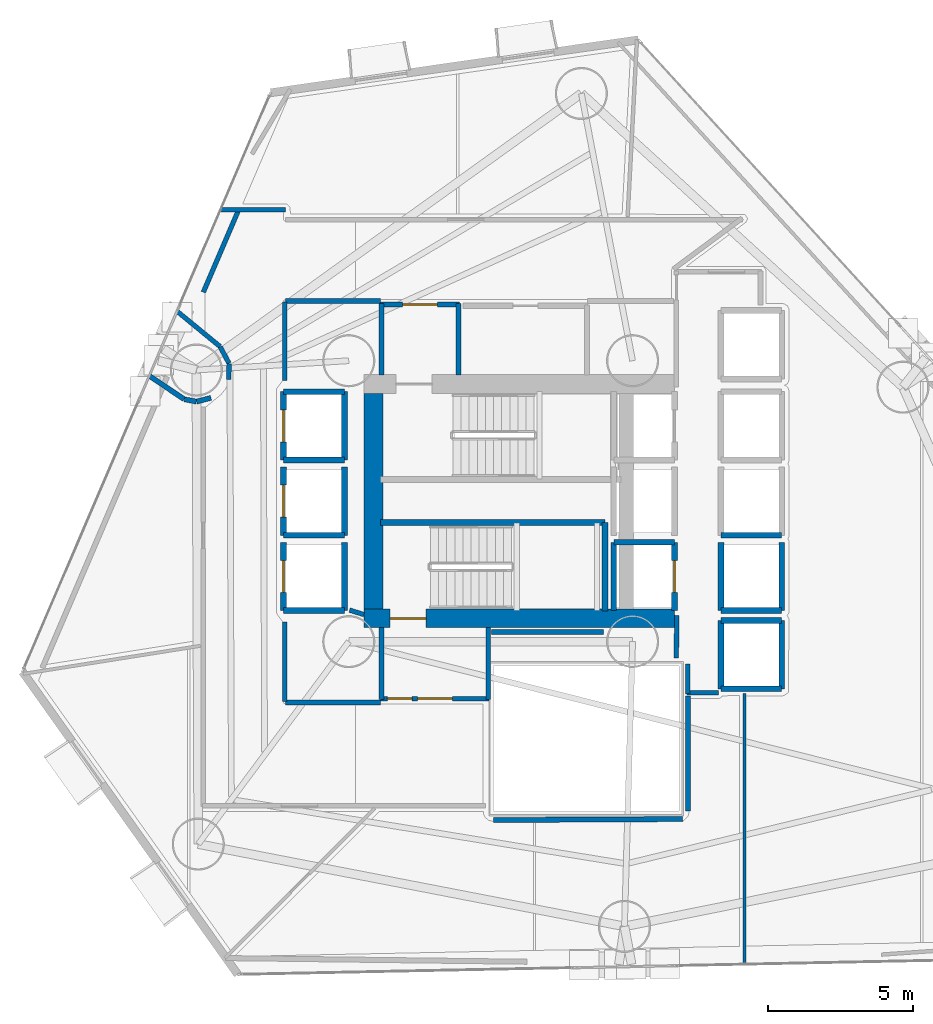
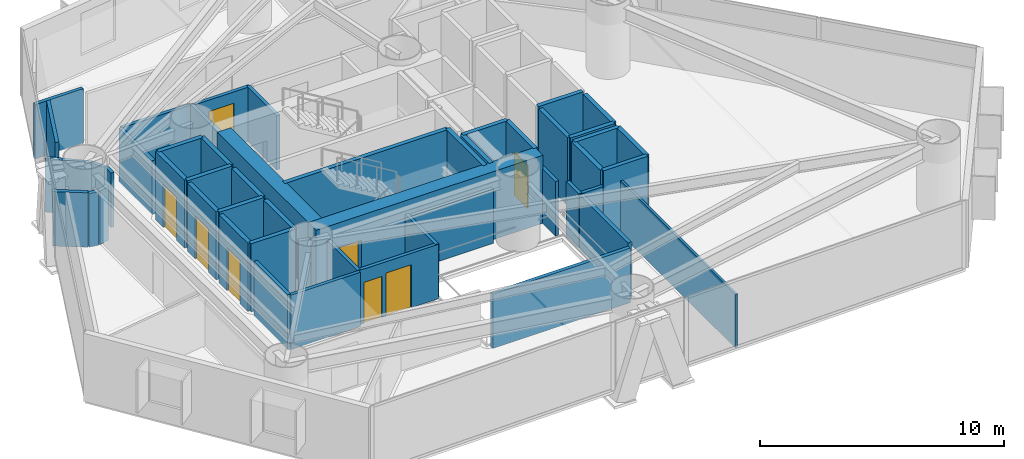
# One storey, part 17 of 22: 51 walls, 8 doors, 8 openings.
"""IFC4 building model written with IfcOpenShell, lengths in metres."""

from ifc_helpers import new_model, si_unit, direction, frame, frame_2d, origin, place, context, subcontext, project, spatial, rectangle, extrude, material, layer, layer_set, type_object, element, fill, save


model = new_model("IFC4")

# Units and contexts
model_context = context("Model", 3, precision=1e-05, world=origin(), true_north=direction((0.0, 1.0)))
body_context = subcontext(model_context, "Body", "Model", "MODEL_VIEW")
ifc_project = project(units=[si_unit("LENGTHUNIT", "METRE"), si_unit("AREAUNIT", "SQUARE_METRE"), si_unit("VOLUMEUNIT", "CUBIC_METRE"), si_unit("PLANEANGLEUNIT", "RADIAN"), si_unit("MASSUNIT", "GRAM", prefix="KILO")], contexts=[model_context])

# Site, building, storey
site_placement = place(None, origin())
site = spatial("IfcSite", under=ifc_project, at=site_placement, CompositionType="ELEMENT")
building_placement = place(site_placement, origin())
building = spatial("IfcBuilding", under=site, at=building_placement, Name="Qianvela Tower", CompositionType="ELEMENT")
storey_placement = place(building_placement, frame((0.0, 0.0, 44.199951171875)))
storey = spatial("IfcBuildingStorey", under=building, at=storey_placement, Name="L10", CompositionType="ELEMENT", Elevation=44.199951171875)

# Wall, opening, door
ifc_material_1 = material(Name="Concrete C60", Category="concrete")
ifc_layer_1 = layer(ifc_material_1, 0.64990234375)
ifc_layer_set_1 = layer_set([ifc_layer_1], Name="Concrete C60")
wall_type_1 = type_object("IfcWallType", Name="WT-CORE-650", PredefinedType="SHEAR", material=ifc_layer_set_1)
wall_1_placement = place(storey_placement, frame((29.1298828125, 24.655029296875, 0.0), z_axis=(0.0, 0.0, 1.0), x_axis=(1.0, 0.0, 0.0)))
wall_1 = element("IfcWall", 1, at=wall_1_placement, inside=storey, type_object=wall_type_1, Name="L10 South Core Shear Wall", PredefinedType="SHEAR", context=body_context, shape_type="SweptSolid", body=[
    extrude(rectangle(XDim=10.72021484375, YDim=0.64990234375, at=frame_2d((5.360107421875, 0.0))), origin(), (0.0, 0.0, 1.0), 3.400146484375),
])
opening_1_placement = place(wall_1_placement, frame((0.89501953125, 0.0, 0.0)))
opening_1 = element("IfcOpeningElement", 2, at=opening_1_placement, cuts=wall_1, Name="Opening D-ST1", PredefinedType="OPENING", context=body_context, shape_type="SweptSolid", body=[
    extrude(rectangle(XDim=1.25, YDim=2.14990234375, at=frame_2d((0.625, 1.074951171875))), frame((0.0, 0.3349609375, 0.0), z_axis=(0.0, -1.0, 0.0), x_axis=(1.0, 0.0, 0.0)), (0.0, 0.0, 1.0), 0.669921875),
])
ifc_material_2 = material(Name="Galvanised Fire Steel Q355B", Category="steel")
door_type_1 = type_object("IfcDoorType", Name="DT-STAIR-FD90", OperationType="NOTDEFINED", PredefinedType="DOOR", material=ifc_material_2)
door_1_placement = place(opening_1_placement, origin())
door_1 = element("IfcDoor", 3, at=door_1_placement, inside=storey, type_object=door_type_1, Name="L10 Stair ST-2 Exit Door", OperationType="SINGLE_SWING_RIGHT", OverallHeight=2.14990234375, OverallWidth=1.25, PredefinedType="DOOR", context=body_context, shape_type="SweptSolid", body=[
    extrude(rectangle(XDim=1.25, YDim=2.14990234375, at=frame_2d((0.625, 1.074951171875))), frame((0.0, 0.02490234375, 0.0), z_axis=(0.0, -1.0, 0.0), x_axis=(1.0, 0.0, 0.0)), (0.0, 0.0, 1.0), 0.050048828125),
])
fill(opening_1, door_1)

# Walls
wall_2_placement = place(storey_placement, frame((29.455078125, 24.97998046875, 0.0), z_axis=(0.0, 0.0, 1.0), x_axis=(0.0, 1.0, 0.0)))
element("IfcWall", 4, at=wall_2_placement, inside=storey, type_object=wall_type_1, Name="L10 West Core Shear Wall", PredefinedType="SHEAR", context=body_context, shape_type="SweptSolid", body=[
    extrude(rectangle(XDim=7.43994140625, YDim=0.64990234375, at=frame_2d((3.719970703125, 0.0))), origin(), (0.0, 0.0, 1.0), 3.400146484375),
])
ifc_material_3 = material(Name="Fire-Rated Gypsum and Concrete Block", Category="concrete")
ifc_layer_2 = layer(ifc_material_3, 0.159912109375)
ifc_layer_set_2 = layer_set([ifc_layer_2], Name="Fire-Rated Gypsum and Concrete Block")
wall_type_2 = type_object("IfcWallType", Name="WT-CORR-160", PredefinedType="PARTITIONING", material=ifc_layer_set_2)
wall_3_placement = place(storey_placement, frame((29.73095703125, 33.05810546875, 0.0), z_axis=(0.0, 0.0, 1.0), x_axis=(0.0, 1.0, 0.0)))
element("IfcWall", 5, at=wall_3_placement, inside=storey, type_object=wall_type_2, Name="L10 Partition 2", PredefinedType="PARTITIONING", context=body_context, shape_type="SweptSolid", body=[
    extrude(rectangle(XDim=2.4619140625, YDim=0.159912109375, at=frame_2d((1.23095703125, 0.0))), origin(), (0.0, 0.0, 1.0), 2.719970703125),
])

# Wall, opening, door
wall_4_placement = place(storey_placement, frame((29.699951171875, 35.489013671875, 0.0), z_axis=(0.0, 0.0, 1.0), x_axis=(1.0, 0.0, 0.0)))
wall_4 = element("IfcWall", 6, at=wall_4_placement, inside=storey, type_object=wall_type_2, Name="L10 Partition 3", PredefinedType="PARTITIONING", context=body_context, shape_type="SweptSolid", body=[
    extrude(rectangle(XDim=2.719970703125, YDim=0.159912109375, at=frame_2d((1.35986328125, 0.0))), origin(), (0.0, 0.0, 1.0), 2.719970703125),
])
opening_2_placement = place(wall_4_placement, frame((0.760009765625, 0.0, 0.0)))
opening_2 = element("IfcOpeningElement", 7, at=opening_2_placement, cuts=wall_4, Name="Opening D-LB1", PredefinedType="OPENING", context=body_context, shape_type="SweptSolid", body=[
    extrude(rectangle(XDim=1.199951171875, YDim=2.14990234375, at=frame_2d((0.60009765625, 1.074951171875))), frame((0.0, 0.08984375, 0.0), z_axis=(0.0, -1.0, 0.0), x_axis=(1.0, 0.0, 0.0)), (0.0, 0.0, 1.0), 0.179931640625),
])
ifc_material_4 = material(Name="Glazed Fire-Rated Steel Frame", Category="steel")
door_type_2 = type_object("IfcDoorType", Name="DT-LOBBY-FD90", OperationType="NOTDEFINED", PredefinedType="DOOR", material=ifc_material_4)
door_2_placement = place(opening_2_placement, origin())
door_2 = element("IfcDoor", 8, at=door_2_placement, inside=storey, type_object=door_type_2, Name="L10 Door L10 Firefighting Lobby North to L10 Floor Corridor", OperationType="SINGLE_SWING_RIGHT", OverallHeight=2.14990234375, OverallWidth=1.199951171875, PredefinedType="DOOR", context=body_context, shape_type="SweptSolid", body=[
    extrude(rectangle(XDim=1.199951171875, YDim=2.14990234375, at=frame_2d((0.60009765625, 1.074951171875))), frame((0.0, 0.02490234375, 0.0), z_axis=(0.0, -1.0, 0.0), x_axis=(1.0, 0.0, 0.0)), (0.0, 0.0, 1.0), 0.050048828125),
])
fill(opening_2, door_2)

# Wall
wall_5_placement = place(storey_placement, frame((32.388916015625, 35.52001953125, 0.0), z_axis=(0.0, 0.0, 1.0), x_axis=(0.0, -1.0, 0.0)))
element("IfcWall", 9, at=wall_5_placement, inside=storey, type_object=wall_type_2, Name="L10 Partition 4", PredefinedType="PARTITIONING", context=body_context, shape_type="SweptSolid", body=[
    extrude(rectangle(XDim=2.4619140625, YDim=0.159912109375, at=frame_2d((1.23095703125, 0.0))), origin(), (0.0, 0.0, 1.0), 2.719970703125),
])

# Wall, openings, doors
wall_6_placement = place(storey_placement, frame((33.449951171875, 21.881103515625, 0.0), z_axis=(0.0, 0.0, 1.0), x_axis=(-1.0, 0.0, 0.0)))
wall_6 = element("IfcWall", 10, at=wall_6_placement, inside=storey, type_object=wall_type_2, Name="L10 Partition 5", PredefinedType="PARTITIONING", context=body_context, shape_type="SweptSolid", body=[
    extrude(rectangle(XDim=3.75, YDim=0.159912109375, at=frame_2d((1.875, 0.0))), origin(), (0.0, 0.0, 1.0), 2.719970703125),
])
opening_3_placement = place(wall_6_placement, frame((1.27490234375, 0.0, 0.0)))
opening_3 = element("IfcOpeningElement", 11, at=opening_3_placement, cuts=wall_6, Name="Opening D-LB1", PredefinedType="OPENING", context=body_context, shape_type="SweptSolid", body=[
    extrude(rectangle(XDim=1.199951171875, YDim=2.14990234375, at=frame_2d((0.60009765625, 1.074951171875))), frame((0.0, 0.08984375, 0.0), z_axis=(0.0, -1.0, 0.0), x_axis=(1.0, 0.0, 0.0)), (0.0, 0.0, 1.0), 0.179931640625),
])
opening_4_placement = place(wall_6_placement, frame((2.659912109375, 0.0, 0.0)))
opening_4 = element("IfcOpeningElement", 12, at=opening_4_placement, cuts=wall_6, Name="Opening D-LB2", PredefinedType="OPENING", context=body_context, shape_type="SweptSolid", body=[
    extrude(rectangle(XDim=0.860107421875, YDim=2.050048828125, at=frame_2d((0.43017578125, 1.02490234375))), frame((0.0, 0.08984375, 0.0), z_axis=(0.0, -1.0, 0.0), x_axis=(1.0, 0.0, 0.0)), (0.0, 0.0, 1.0), 0.179931640625),
])
door_3_placement = place(opening_3_placement, origin())
door_3 = element("IfcDoor", 13, at=door_3_placement, inside=storey, type_object=door_type_2, Name="L10 Door L10 Firefighting Lobby South to L10 Floor Corridor", OperationType="SINGLE_SWING_LEFT", OverallHeight=2.14990234375, OverallWidth=1.199951171875, PredefinedType="DOOR", context=body_context, shape_type="SweptSolid", body=[
    extrude(rectangle(XDim=1.199951171875, YDim=2.14990234375, at=frame_2d((0.60009765625, 1.074951171875))), frame((0.0, 0.02490234375, 0.0), z_axis=(0.0, -1.0, 0.0), x_axis=(1.0, 0.0, 0.0)), (0.0, 0.0, 1.0), 0.050048828125),
])
fill(opening_3, door_3)
ifc_material_5 = material(Name="Insulated Steel Fire Door Q355B", Category="steel")
door_type_3 = type_object("IfcDoorType", Name="DT-LOBBY-FD90-860", OperationType="NOTDEFINED", PredefinedType="DOOR", material=ifc_material_5)
door_4_placement = place(opening_4_placement, origin())
door_4 = element("IfcDoor", 14, at=door_4_placement, inside=storey, type_object=door_type_3, Name="L10 Door L10 Firefighting Lobby South to L10 Floor Corridor", OperationType="SINGLE_SWING_RIGHT", OverallHeight=2.050048828125, OverallWidth=0.860107421875, PredefinedType="DOOR", context=body_context, shape_type="SweptSolid", body=[
    extrude(rectangle(XDim=0.860107421875, YDim=2.050048828125, at=frame_2d((0.43017578125, 1.02490234375))), frame((0.0, 0.02490234375, 0.0), z_axis=(0.0, -1.0, 0.0), x_axis=(1.0, 0.0, 0.0)), (0.0, 0.0, 1.0), 0.050048828125),
])
fill(opening_4, door_4)

# Walls
for number, where, z_axis, x_axis, name in (
    (15, (29.73095703125, 21.85009765625, 0.0), (0.0, 0.0, 1.0), (0.0, 1.0, 0.0), "L10 Partition 6"),
    (16, (33.4189453125, 24.342041015625, 0.0), (0.0, 0.0, 1.0), (0.0, -1.0, 0.0), "L10 Partition 8"),
):
    element("IfcWall", number, at=place(storey_placement, frame(where, z_axis=z_axis, x_axis=x_axis)), inside=storey, type_object=wall_type_2, Name=name, PredefinedType="PARTITIONING", context=body_context, shape_type="SweptSolid", body=[
        extrude(rectangle(XDim=2.491943359375, YDim=0.159912109375, at=frame_2d((1.24609375, 0.0))), origin(), (0.0, 0.0, 1.0), 2.719970703125),
    ])
wall_7_placement = place(storey_placement, frame((41.360107421875, 22.0810546875, 0.0), z_axis=(0.0, 0.0, 1.0), x_axis=(-1.0, 0.0, 0.0)))
element("IfcWall", 17, at=wall_7_placement, inside=storey, type_object=wall_type_2, Name="L10 Partition 15", PredefinedType="PARTITIONING", context=body_context, shape_type="SweptSolid", body=[
    extrude(rectangle(XDim=1.080078125, YDim=0.159912109375, at=frame_2d((0.5400390625, 0.0))), origin(), (0.0, 0.0, 1.0), 2.719970703125),
])
wall_8_placement = place(storey_placement, frame((40.31103515625, 22.05029296875, 0.0), z_axis=(0.0, 0.0, 1.0), x_axis=(-0.011836292006, 0.999929948642, 0.0)))
element("IfcWall", 18, at=wall_8_placement, inside=storey, type_object=wall_type_2, Name="L10 Partition 16", PredefinedType="PARTITIONING", context=body_context, shape_type="SweptSolid", body=[
    extrude(rectangle(XDim=1.03125, YDim=0.159912109375, at=frame_2d((0.515625, 0.0))), origin(), (0.0, 0.0, 1.0), 2.719970703125),
])
wall_9_placement = place(storey_placement, frame((39.910888671875, 23.27978515625, 0.0), z_axis=(0.0, 0.0, 1.0), x_axis=(0.009397771291, 0.999955839972, 0.0)))
element("IfcWall", 19, at=wall_9_placement, inside=storey, type_object=wall_type_2, Name="L10 Partition 17", PredefinedType="PARTITIONING", context=body_context, shape_type="SweptSolid", body=[
    extrude(rectangle(XDim=1.480712890625, YDim=0.159912109375, at=frame_2d((0.740234375, 0.0))), origin(), (0.0, 0.0, 1.0), 2.719970703125),
])
wall_10_placement = place(storey_placement, frame((29.1298828125, 24.781982421875, 0.0), z_axis=(0.0, 0.0, 1.0), x_axis=(-0.955000482512, 0.296604245422, 0.0)))
element("IfcWall", 20, at=wall_10_placement, inside=storey, type_object=wall_type_2, Name="L10 Partition 27", PredefinedType="PARTITIONING", context=body_context, shape_type="SweptSolid", body=[
    extrude(rectangle(XDim=0.5244140625, YDim=0.159912109375, at=frame_2d((0.26220703125, 0.0))), origin(), (0.0, 0.0, 1.0), 2.719970703125),
])
wall_11_placement = place(storey_placement, frame((37.388671875, 24.180908203125, 0.0), z_axis=(0.0, 0.0, 1.0), x_axis=(-1.0, 0.0, 0.0)))
element("IfcWall", 21, at=wall_11_placement, inside=storey, type_object=wall_type_2, Name="L10 Partition 33", PredefinedType="PARTITIONING", context=body_context, shape_type="SweptSolid", body=[
    extrude(rectangle(XDim=3.858642578125, YDim=0.159912109375, at=frame_2d((1.92919921875, 0.0))), origin(), (0.0, 0.0, 1.0), 2.719970703125),
])
wall_12_placement = place(storey_placement, frame((24.4638671875, 33.461181640625, 0.0), z_axis=(0.0, 0.0, 1.0), x_axis=(-0.4715232649, 0.881853622014, 0.0)))
element("IfcWall", 22, at=wall_12_placement, inside=storey, type_object=wall_type_2, Name="L10 Partition 34", PredefinedType="PARTITIONING", context=body_context, shape_type="SweptSolid", body=[
    extrude(rectangle(XDim=0.650390625, YDim=0.159912109375, at=frame_2d((0.3251953125, 0.0))), origin(), (0.0, 0.0, 1.0), 2.677978515625),
])
wall_13_placement = place(storey_placement, frame((24.149658203125, 34.0439453125, 0.0), z_axis=(0.0, 0.0, 1.0), x_axis=(-0.773051152653, 0.634343688691, 0.0)))
element("IfcWall", 23, at=wall_13_placement, inside=storey, type_object=wall_type_2, Name="L10 Partition 35", PredefinedType="PARTITIONING", context=body_context, shape_type="SweptSolid", body=[
    extrude(rectangle(XDim=1.934326171875, YDim=0.159912109375, at=frame_2d((0.96728515625, 0.0))), origin(), (0.0, 0.0, 1.0), 2.677978515625),
])
wall_14_placement = place(storey_placement, frame((23.57861328125, 35.91650390625, 0.0), z_axis=(0.0, 0.0, 1.0), x_axis=(0.393891001625, 0.919157156768, 0.0)))
element("IfcWall", 24, at=wall_14_placement, inside=storey, type_object=wall_type_2, Name="L10 Partition 37", PredefinedType="PARTITIONING", context=body_context, shape_type="SweptSolid", body=[
    extrude(rectangle(XDim=3.123779296875, YDim=0.159912109375, at=frame_2d((1.56201171875, 0.0))), origin(), (0.0, 0.0, 1.0), 2.719970703125),
])
wall_15_placement = place(storey_placement, frame((24.154296875, 38.76904296875, 0.0), z_axis=(0.0, 0.0, 1.0), x_axis=(1.0, 0.0, 0.0)))
element("IfcWall", 25, at=wall_15_placement, inside=storey, type_object=wall_type_2, Name="L10 Partition 38", PredefinedType="PARTITIONING", context=body_context, shape_type="SweptSolid", body=[
    extrude(rectangle(XDim=2.265625, YDim=0.159912109375, at=frame_2d((1.1328125, 0.0))), origin(), (0.0, 0.0, 1.0), 2.719970703125),
])
wall_16_placement = place(storey_placement, frame((29.699951171875, 35.611083984375, 0.0), z_axis=(0.0, 0.0, 1.0), x_axis=(-1.0, 0.0, 0.0)))
element("IfcWall", 26, at=wall_16_placement, inside=storey, type_object=wall_type_2, Name="L10 Partition 42 seg 3", PredefinedType="PARTITIONING", context=body_context, shape_type="SweptSolid", body=[
    extrude(rectangle(XDim=3.280029296875, YDim=0.159912109375, at=frame_2d((1.64013671875, 0.0))), origin(), (0.0, 0.0, 1.0), 2.677978515625),
])
wall_17_placement = place(storey_placement, frame((26.388916015625, 35.580078125, 0.0), z_axis=(0.0, 0.0, 1.0), x_axis=(0.0, -1.0, 0.0)))
element("IfcWall", 27, at=wall_17_placement, inside=storey, type_object=wall_type_2, Name="L10 Partition 43", PredefinedType="PARTITIONING", context=body_context, shape_type="SweptSolid", body=[
    extrude(rectangle(XDim=2.71044921875, YDim=0.159912109375, at=frame_2d((1.355224609375, 0.0))), origin(), (0.0, 0.0, 1.0), 2.677978515625),
])
wall_18_placement = place(storey_placement, frame((26.388916015625, 24.530517578125, 0.0), z_axis=(0.0, 0.0, 1.0), x_axis=(0.0, -1.0, 0.0)))
element("IfcWall", 28, at=wall_18_placement, inside=storey, type_object=wall_type_2, Name="L10 Partition 45", PredefinedType="PARTITIONING", context=body_context, shape_type="SweptSolid", body=[
    extrude(rectangle(XDim=2.75048828125, YDim=0.159912109375, at=frame_2d((1.375244140625, 0.0))), origin(), (0.0, 0.0, 1.0), 2.719970703125),
])
wall_19_placement = place(storey_placement, frame((26.419921875, 21.7490234375, 0.0), z_axis=(0.0, 0.0, 1.0), x_axis=(1.0, 0.0, 0.0)))
element("IfcWall", 29, at=wall_19_placement, inside=storey, type_object=wall_type_2, Name="L10 Partition 46 seg 1", PredefinedType="PARTITIONING", context=body_context, shape_type="SweptSolid", body=[
    extrude(rectangle(XDim=3.280029296875, YDim=0.159912109375, at=frame_2d((1.64013671875, 0.0))), origin(), (0.0, 0.0, 1.0), 2.719970703125),
])
wall_20_placement = place(storey_placement, frame((24.45654296875, 32.8974609375, 0.0), z_axis=(0.0, 0.0, 1.0), x_axis=(0.020031598679, 0.999799347396, 0.0)))
element("IfcWall", 30, at=wall_20_placement, inside=storey, type_object=wall_type_2, Name="L10 Partition 50", PredefinedType="PARTITIONING", context=body_context, shape_type="SweptSolid", body=[
    extrude(rectangle(XDim=0.54833984375, YDim=0.159912109375, at=frame_2d((0.274169921875, 0.0))), origin(), (0.0, 0.0, 1.0), 2.719970703125),
])
ifc_material_6 = material(Name="Lightweight Gypsum Room Partition")
ifc_layer_3 = layer(ifc_material_6, 0.10498046875)
ifc_layer_set_3 = layer_set([ifc_layer_3], Name="Lightweight Gypsum Room Partition")
wall_type_3 = type_object("IfcWallType", Name="WT-PART-105", PredefinedType="PARTITIONING", material=ifc_layer_set_3)
wall_21_placement = place(storey_placement, frame((42.268798828125, 12.687255859375, 0.0), z_axis=(0.0, 0.0, 1.0), x_axis=(-2.6047772e-05, 0.999999999661, 0.0)))
element("IfcWall", 31, at=wall_21_placement, inside=storey, type_object=wall_type_3, Name="L10 Partition 72", PredefinedType="PARTITIONING", context=body_context, shape_type="SweptSolid", body=[
    extrude(rectangle(XDim=9.372802734375, YDim=0.10498046875, at=frame_2d((4.6865234375, 0.0))), origin(), (0.0, 0.0, 1.0), 2.677978515625),
])
ifc_material_7 = material(Name="Moisture-Resistant Acoustic Plumbing Wall")
ifc_layer_4 = layer(ifc_material_7, 0.175048828125)
ifc_layer_set_4 = layer_set([ifc_layer_4], Name="Moisture-Resistant Acoustic Plumbing Wall")
wall_type_4 = type_object("IfcWallType", Name="WT-PLUMB-175", PredefinedType="PLUMBINGWALL", material=ifc_layer_set_4)
wall_22_placement = place(storey_placement, frame((21.6962890625, 33.037109375, 0.0), z_axis=(0.0, 0.0, 1.0), x_axis=(0.831511757221, -0.555507153512, 0.0)))
element("IfcWall", 32, at=wall_22_placement, inside=storey, type_object=wall_type_4, Name="L10 Partition 79", PredefinedType="PLUMBINGWALL", context=body_context, shape_type="SweptSolid", body=[
    extrude(rectangle(XDim=1.4658203125, YDim=0.175048828125, at=frame_2d((0.73291015625, 0.0))), origin(), (0.0, 0.0, 1.0), 2.719970703125),
])
wall_23_placement = place(storey_placement, frame((22.92626953125, 32.21826171875, 0.0), z_axis=(0.0, 0.0, 1.0), x_axis=(0.980852113174, -0.194754029692, 0.0)))
element("IfcWall", 33, at=wall_23_placement, inside=storey, type_object=wall_type_4, Name="L10 Partition 80", PredefinedType="PLUMBINGWALL", context=body_context, shape_type="SweptSolid", body=[
    extrude(rectangle(XDim=0.41357421875, YDim=0.175048828125, at=frame_2d((0.206787109375, 0.0))), origin(), (0.0, 0.0, 1.0), 2.677978515625),
])
wall_24_placement = place(storey_placement, frame((23.345703125, 32.137939453125, 0.0), z_axis=(0.0, 0.0, 1.0), x_axis=(0.967662659088, 0.252247850749, 0.0)))
element("IfcWall", 34, at=wall_24_placement, inside=storey, type_object=wall_type_4, Name="L10 Partition 81", PredefinedType="PLUMBINGWALL", context=body_context, shape_type="SweptSolid", body=[
    extrude(rectangle(XDim=0.513916015625, YDim=0.175048828125, at=frame_2d((0.2568359375, 0.0))), origin(), (0.0, 0.0, 1.0), 2.677978515625),
])
wall_25_placement = place(storey_placement, frame((33.60009765625, 17.68896484375, 0.0), z_axis=(0.0, 0.0, 1.0), x_axis=(0.999987080982, 0.005083096356, 0.0)))
element("IfcWall", 35, at=wall_25_placement, inside=storey, type_object=wall_type_4, Name="L10 Partition 85", PredefinedType="PLUMBINGWALL", context=body_context, shape_type="SweptSolid", body=[
    extrude(rectangle(XDim=6.531982421875, YDim=0.175048828125, at=frame_2d((3.26611328125, 0.0))), origin(), (0.0, 0.0, 1.0), 2.719970703125),
])
wall_26_placement = place(storey_placement, frame((40.31103515625, 18.0, 0.0), z_axis=(0.0, 0.0, 1.0), x_axis=(0.0, 1.0, 0.0)))
element("IfcWall", 36, at=wall_26_placement, inside=storey, type_object=wall_type_4, Name="L10 Partition 86 seg 1", PredefinedType="PLUMBINGWALL", context=body_context, shape_type="SweptSolid", body=[
    extrude(rectangle(XDim=3.969970703125, YDim=0.175048828125, at=frame_2d((1.98486328125, 0.0))), origin(), (0.0, 0.0, 1.0), 2.719970703125),
])
ifc_material_8 = material(Name="Concrete C50", Category="concrete")
ifc_layer_5 = layer(ifc_material_8, 0.199951171875)
ifc_layer_set_5 = layer_set([ifc_layer_5], Name="Concrete C50")
wall_type_5 = type_object("IfcWallType", Name="WT-SHAFT-200", PredefinedType="SOLIDWALL", material=ifc_layer_set_5)
wall_27_placement = place(storey_placement, frame((29.699951171875, 27.9599609375, 0.0), z_axis=(0.0, 0.0, 1.0), x_axis=(1.0, 0.0, 0.0)))
element("IfcWall", 37, at=wall_27_placement, inside=storey, type_object=wall_type_5, Name="L10 Stair ST-2 North Wall", PredefinedType="SOLIDWALL", context=body_context, shape_type="SweptSolid", body=[
    extrude(rectangle(XDim=7.75, YDim=0.199951171875, at=frame_2d((3.875, 0.0))), origin(), (0.0, 0.0, 1.0), 3.400146484375),
])
wall_28_placement = place(storey_placement, frame((37.449951171875, 24.89990234375, 0.0), z_axis=(0.0, 0.0, 1.0), x_axis=(0.0, 1.0, 0.0)))
element("IfcWall", 38, at=wall_28_placement, inside=storey, type_object=wall_type_5, Name="L10 Stair ST-2 East Wall", PredefinedType="SOLIDWALL", context=body_context, shape_type="SweptSolid", body=[
    extrude(rectangle(XDim=3.06005859375, YDim=0.199951171875, at=frame_2d((1.530029296875, 0.0))), origin(), (0.0, 0.0, 1.0), 3.400146484375),
])

# Wall, opening, door
wall_29_placement = place(storey_placement, frame((39.85009765625, 24.919921875, 0.0), z_axis=(0.0, 0.0, 1.0), x_axis=(0.0, 1.0, 0.0)))
wall_29 = element("IfcWall", 39, at=wall_29_placement, inside=storey, type_object=wall_type_5, Name="L10 Lift FL-2 E Shaft Wall", PredefinedType="SOLIDWALL", context=body_context, shape_type="SweptSolid", body=[
    extrude(rectangle(XDim=2.360107421875, YDim=0.199951171875, at=frame_2d((1.18017578125, 0.0))), origin(), (0.0, 0.0, 1.0), 3.400146484375),
])
opening_5_placement = place(wall_29_placement, frame((0.6298828125, 0.0, 0.0)))
opening_5 = element("IfcOpeningElement", 40, at=opening_5_placement, cuts=wall_29, Name="Opening LD-01", PredefinedType="OPENING", context=body_context, shape_type="SweptSolid", body=[
    extrude(rectangle(XDim=1.10009765625, YDim=2.14990234375, at=frame_2d((0.550048828125, 1.074951171875))), frame((0.0, 0.10986328125, 0.0), z_axis=(0.0, -1.0, 0.0), x_axis=(1.0, 0.0, 0.0)), (0.0, 0.0, 1.0), 0.219970703125),
])
ifc_material_9 = material(Name="Brushed Stainless Steel Lift Landing Door", Category="steel")
door_type_4 = type_object("IfcDoorType", Name="DT-LIFT-SLIDE-1100", OperationType="SLIDING_TO_LEFT", PredefinedType="DOOR", material=ifc_material_9)
door_5_placement = place(opening_5_placement, origin())
door_5 = element("IfcDoor", 41, at=door_5_placement, inside=storey, type_object=door_type_4, Name="L10 Lift FL-2 Sliding Landing Door", OperationType="SLIDING_TO_LEFT", OverallHeight=2.14990234375, OverallWidth=1.10009765625, PredefinedType="DOOR", context=body_context, shape_type="SweptSolid", body=[
    extrude(rectangle(XDim=1.10009765625, YDim=2.14990234375, at=frame_2d((0.550048828125, 1.074951171875))), frame((0.0, 0.02490234375, 0.0), z_axis=(0.0, -1.0, 0.0), x_axis=(1.0, 0.0, 0.0)), (0.0, 0.0, 1.0), 0.050048828125),
])
fill(opening_5, door_5)

# Walls
wall_30_placement = place(storey_placement, frame((37.75, 24.919921875, 0.0), z_axis=(0.0, 0.0, 1.0), x_axis=(0.0, 1.0, 0.0)))
element("IfcWall", 42, at=wall_30_placement, inside=storey, type_object=wall_type_5, Name="L10 Lift FL-2 W Shaft Wall", PredefinedType="SOLIDWALL", context=body_context, shape_type="SweptSolid", body=[
    extrude(rectangle(XDim=2.360107421875, YDim=0.199951171875, at=frame_2d((1.18017578125, 0.0))), origin(), (0.0, 0.0, 1.0), 3.400146484375),
])
wall_31_placement = place(storey_placement, frame((37.75, 27.280029296875, 0.0), z_axis=(0.0, 0.0, 1.0), x_axis=(1.0, 0.0, 0.0)))
element("IfcWall", 43, at=wall_31_placement, inside=storey, type_object=wall_type_5, Name="L10 Lift FL-2 N Shaft Wall", PredefinedType="SOLIDWALL", context=body_context, shape_type="SweptSolid", body=[
    extrude(rectangle(XDim=2.10009765625, YDim=0.199951171875, at=frame_2d((1.050048828125, 0.0))), origin(), (0.0, 0.0, 1.0), 3.400146484375),
])
wall_32_placement = place(storey_placement, frame((28.449951171875, 30.1201171875, 0.0), z_axis=(0.0, 0.0, 1.0), x_axis=(0.0, 1.0, 0.0)))
element("IfcWall", 44, at=wall_32_placement, inside=storey, type_object=wall_type_5, Name="L10 Lift PL-L1 E Shaft Wall", PredefinedType="SOLIDWALL", context=body_context, shape_type="SweptSolid", body=[
    extrude(rectangle(XDim=2.35986328125, YDim=0.199951171875, at=frame_2d((1.179931640625, 0.0))), origin(), (0.0, 0.0, 1.0), 3.400146484375),
])

# Wall, opening, door
wall_33_placement = place(storey_placement, frame((26.35009765625, 30.1201171875, 0.0), z_axis=(0.0, 0.0, 1.0), x_axis=(0.0, 1.0, 0.0)))
wall_33 = element("IfcWall", 45, at=wall_33_placement, inside=storey, type_object=wall_type_5, Name="L10 Lift PL-L1 W Shaft Wall", PredefinedType="SOLIDWALL", context=body_context, shape_type="SweptSolid", body=[
    extrude(rectangle(XDim=2.35986328125, YDim=0.199951171875, at=frame_2d((1.179931640625, 0.0))), origin(), (0.0, 0.0, 1.0), 3.400146484375),
])
opening_6_placement = place(wall_33_placement, frame((0.6298828125, 0.0, 0.0)))
opening_6 = element("IfcOpeningElement", 46, at=opening_6_placement, cuts=wall_33, Name="Opening LD-01", PredefinedType="OPENING", context=body_context, shape_type="SweptSolid", body=[
    extrude(rectangle(XDim=1.10009765625, YDim=2.14990234375, at=frame_2d((0.550048828125, 1.074951171875))), frame((0.0, 0.10986328125, 0.0), z_axis=(0.0, -1.0, 0.0), x_axis=(1.0, 0.0, 0.0)), (0.0, 0.0, 1.0), 0.219970703125),
])
door_6_placement = place(opening_6_placement, origin())
door_6 = element("IfcDoor", 47, at=door_6_placement, inside=storey, type_object=door_type_4, Name="L10 Lift PL-L1 Sliding Landing Door", OperationType="SLIDING_TO_LEFT", OverallHeight=2.14990234375, OverallWidth=1.10009765625, PredefinedType="DOOR", context=body_context, shape_type="SweptSolid", body=[
    extrude(rectangle(XDim=1.10009765625, YDim=2.14990234375, at=frame_2d((0.550048828125, 1.074951171875))), frame((0.0, 0.02490234375, 0.0), z_axis=(0.0, -1.0, 0.0), x_axis=(1.0, 0.0, 0.0)), (0.0, 0.0, 1.0), 0.050048828125),
])
fill(opening_6, door_6)

# Walls
for number, where, z_axis, x_axis, name in (
    (48, (26.35009765625, 32.47998046875, 0.0), (0.0, 0.0, 1.0), (1.0, 0.0, 0.0), "L10 Lift PL-L1 N Shaft Wall"),
    (49, (26.35009765625, 30.1201171875, 0.0), (0.0, 0.0, 1.0), (1.0, 0.0, 0.0), "L10 Lift PL-L1 S Shaft Wall"),
):
    element("IfcWall", number, at=place(storey_placement, frame(where, z_axis=z_axis, x_axis=x_axis)), inside=storey, type_object=wall_type_5, Name=name, PredefinedType="SOLIDWALL", context=body_context, shape_type="SweptSolid", body=[
        extrude(rectangle(XDim=2.099853515625, YDim=0.199951171875, at=frame_2d((1.0498046875, 0.0))), origin(), (0.0, 0.0, 1.0), 3.400146484375),
    ])
wall_34_placement = place(storey_placement, frame((28.449951171875, 27.52001953125, 0.0), z_axis=(0.0, 0.0, 1.0), x_axis=(0.0, 1.0, 0.0)))
element("IfcWall", 50, at=wall_34_placement, inside=storey, type_object=wall_type_5, Name="L10 Lift PL-L2 E Shaft Wall", PredefinedType="SOLIDWALL", context=body_context, shape_type="SweptSolid", body=[
    extrude(rectangle(XDim=2.35986328125, YDim=0.199951171875, at=frame_2d((1.179931640625, 0.0))), origin(), (0.0, 0.0, 1.0), 3.400146484375),
])

# Wall, opening, door
wall_35_placement = place(storey_placement, frame((26.35009765625, 27.52001953125, 0.0), z_axis=(0.0, 0.0, 1.0), x_axis=(0.0, 1.0, 0.0)))
wall_35 = element("IfcWall", 51, at=wall_35_placement, inside=storey, type_object=wall_type_5, Name="L10 Lift PL-L2 W Shaft Wall", PredefinedType="SOLIDWALL", context=body_context, shape_type="SweptSolid", body=[
    extrude(rectangle(XDim=2.35986328125, YDim=0.199951171875, at=frame_2d((1.179931640625, 0.0))), origin(), (0.0, 0.0, 1.0), 3.400146484375),
])
opening_7_placement = place(wall_35_placement, frame((0.6298828125, 0.0, 0.0)))
opening_7 = element("IfcOpeningElement", 52, at=opening_7_placement, cuts=wall_35, Name="Opening LD-01", PredefinedType="OPENING", context=body_context, shape_type="SweptSolid", body=[
    extrude(rectangle(XDim=1.10009765625, YDim=2.14990234375, at=frame_2d((0.550048828125, 1.074951171875))), frame((0.0, 0.10986328125, 0.0), z_axis=(0.0, -1.0, 0.0), x_axis=(1.0, 0.0, 0.0)), (0.0, 0.0, 1.0), 0.219970703125),
])
door_7_placement = place(opening_7_placement, origin())
door_7 = element("IfcDoor", 53, at=door_7_placement, inside=storey, type_object=door_type_4, Name="L10 Lift PL-L2 Sliding Landing Door", OperationType="SLIDING_TO_LEFT", OverallHeight=2.14990234375, OverallWidth=1.10009765625, PredefinedType="DOOR", context=body_context, shape_type="SweptSolid", body=[
    extrude(rectangle(XDim=1.10009765625, YDim=2.14990234375, at=frame_2d((0.550048828125, 1.074951171875))), frame((0.0, 0.02490234375, 0.0), z_axis=(0.0, -1.0, 0.0), x_axis=(1.0, 0.0, 0.0)), (0.0, 0.0, 1.0), 0.050048828125),
])
fill(opening_7, door_7)

# Walls
wall_36_placement = place(storey_placement, frame((26.35009765625, 27.52001953125, 0.0), z_axis=(0.0, 0.0, 1.0), x_axis=(1.0, 0.0, 0.0)))
element("IfcWall", 54, at=wall_36_placement, inside=storey, type_object=wall_type_5, Name="L10 Lift PL-L2 S Shaft Wall", PredefinedType="SOLIDWALL", context=body_context, shape_type="SweptSolid", body=[
    extrude(rectangle(XDim=2.099853515625, YDim=0.199951171875, at=frame_2d((1.0498046875, 0.0))), origin(), (0.0, 0.0, 1.0), 3.400146484375),
])
wall_37_placement = place(storey_placement, frame((28.449951171875, 24.919921875, 0.0), z_axis=(0.0, 0.0, 1.0), x_axis=(0.0, 1.0, 0.0)))
element("IfcWall", 55, at=wall_37_placement, inside=storey, type_object=wall_type_5, Name="L10 Lift PL-L3 E Shaft Wall", PredefinedType="SOLIDWALL", context=body_context, shape_type="SweptSolid", body=[
    extrude(rectangle(XDim=2.360107421875, YDim=0.199951171875, at=frame_2d((1.18017578125, 0.0))), origin(), (0.0, 0.0, 1.0), 3.400146484375),
])

# Wall, opening, door
wall_38_placement = place(storey_placement, frame((26.35009765625, 24.919921875, 0.0), z_axis=(0.0, 0.0, 1.0), x_axis=(0.0, 1.0, 0.0)))
wall_38 = element("IfcWall", 56, at=wall_38_placement, inside=storey, type_object=wall_type_5, Name="L10 Lift PL-L3 W Shaft Wall", PredefinedType="SOLIDWALL", context=body_context, shape_type="SweptSolid", body=[
    extrude(rectangle(XDim=2.360107421875, YDim=0.199951171875, at=frame_2d((1.18017578125, 0.0))), origin(), (0.0, 0.0, 1.0), 3.400146484375),
])
opening_8_placement = place(wall_38_placement, frame((0.6298828125, 0.0, 0.0)))
opening_8 = element("IfcOpeningElement", 57, at=opening_8_placement, cuts=wall_38, Name="Opening LD-01", PredefinedType="OPENING", context=body_context, shape_type="SweptSolid", body=[
    extrude(rectangle(XDim=1.10009765625, YDim=2.14990234375, at=frame_2d((0.550048828125, 1.074951171875))), frame((0.0, 0.10986328125, 0.0), z_axis=(0.0, -1.0, 0.0), x_axis=(1.0, 0.0, 0.0)), (0.0, 0.0, 1.0), 0.219970703125),
])
door_8_placement = place(opening_8_placement, origin())
door_8 = element("IfcDoor", 58, at=door_8_placement, inside=storey, type_object=door_type_4, Name="L10 Lift PL-L3 Sliding Landing Door", OperationType="SLIDING_TO_LEFT", OverallHeight=2.14990234375, OverallWidth=1.10009765625, PredefinedType="DOOR", context=body_context, shape_type="SweptSolid", body=[
    extrude(rectangle(XDim=1.10009765625, YDim=2.14990234375, at=frame_2d((0.550048828125, 1.074951171875))), frame((0.0, 0.02490234375, 0.0), z_axis=(0.0, -1.0, 0.0), x_axis=(1.0, 0.0, 0.0)), (0.0, 0.0, 1.0), 0.050048828125),
])
fill(opening_8, door_8)

# Walls
wall_39_placement = place(storey_placement, frame((26.35009765625, 24.919921875, 0.0), z_axis=(0.0, 0.0, 1.0), x_axis=(1.0, 0.0, 0.0)))
element("IfcWall", 59, at=wall_39_placement, inside=storey, type_object=wall_type_5, Name="L10 Lift PL-L3 S Shaft Wall", PredefinedType="SOLIDWALL", context=body_context, shape_type="SweptSolid", body=[
    extrude(rectangle(XDim=2.099853515625, YDim=0.199951171875, at=frame_2d((1.0498046875, 0.0))), origin(), (0.0, 0.0, 1.0), 3.400146484375),
])
wall_40_placement = place(storey_placement, frame((41.449951171875, 27.52001953125, 0.0), z_axis=(0.0, 0.0, 1.0), x_axis=(1.0, 0.0, 0.0)))
element("IfcWall", 60, at=wall_40_placement, inside=storey, type_object=wall_type_5, Name="L10 Lift PL-M2 S Shaft Wall", PredefinedType="SOLIDWALL", context=body_context, shape_type="SweptSolid", body=[
    extrude(rectangle(XDim=2.10009765625, YDim=0.199951171875, at=frame_2d((1.050048828125, 0.0))), origin(), (0.0, 0.0, 1.0), 3.400146484375),
])
for number, where, z_axis, x_axis, name in (
    (61, (43.550048828125, 24.919921875, 0.0), (0.0, 0.0, 1.0), (0.0, 1.0, 0.0), "L10 Lift PL-M3 E Shaft Wall"),
    (62, (41.449951171875, 24.919921875, 0.0), (0.0, 0.0, 1.0), (0.0, 1.0, 0.0), "L10 Lift PL-M3 W Shaft Wall"),
):
    element("IfcWall", number, at=place(storey_placement, frame(where, z_axis=z_axis, x_axis=x_axis)), inside=storey, type_object=wall_type_5, Name=name, PredefinedType="SOLIDWALL", context=body_context, shape_type="SweptSolid", body=[
        extrude(rectangle(XDim=2.360107421875, YDim=0.199951171875, at=frame_2d((1.18017578125, 0.0))), origin(), (0.0, 0.0, 1.0), 3.400146484375),
    ])
wall_41_placement = place(storey_placement, frame((41.449951171875, 24.919921875, 0.0), z_axis=(0.0, 0.0, 1.0), x_axis=(1.0, 0.0, 0.0)))
element("IfcWall", 63, at=wall_41_placement, inside=storey, type_object=wall_type_5, Name="L10 Lift PL-M3 S Shaft Wall", PredefinedType="SOLIDWALL", context=body_context, shape_type="SweptSolid", body=[
    extrude(rectangle(XDim=2.10009765625, YDim=0.199951171875, at=frame_2d((1.050048828125, 0.0))), origin(), (0.0, 0.0, 1.0), 3.400146484375),
])
for number, where, z_axis, x_axis, name in (
    (64, (43.550048828125, 22.219970703125, 0.0), (0.0, 0.0, 1.0), (0.0, 1.0, 0.0), "L10 Lift PL-H2 E Shaft Wall"),
    (65, (41.449951171875, 22.219970703125, 0.0), (0.0, 0.0, 1.0), (0.0, 1.0, 0.0), "L10 Lift PL-H2 W Shaft Wall"),
):
    element("IfcWall", number, at=place(storey_placement, frame(where, z_axis=z_axis, x_axis=x_axis)), inside=storey, type_object=wall_type_5, Name=name, PredefinedType="SOLIDWALL", context=body_context, shape_type="SweptSolid", body=[
        extrude(rectangle(XDim=2.360107421875, YDim=0.199951171875, at=frame_2d((1.18017578125, 0.0))), origin(), (0.0, 0.0, 1.0), 3.400146484375),
    ])
for number, where, z_axis, x_axis, name in (
    (66, (41.449951171875, 24.580078125, 0.0), (0.0, 0.0, 1.0), (1.0, 0.0, 0.0), "L10 Lift PL-H2 N Shaft Wall"),
    (67, (41.449951171875, 22.219970703125, 0.0), (0.0, 0.0, 1.0), (1.0, 0.0, 0.0), "L10 Lift PL-H2 S Shaft Wall"),
):
    element("IfcWall", number, at=place(storey_placement, frame(where, z_axis=z_axis, x_axis=x_axis)), inside=storey, type_object=wall_type_5, Name=name, PredefinedType="SOLIDWALL", context=body_context, shape_type="SweptSolid", body=[
        extrude(rectangle(XDim=2.10009765625, YDim=0.199951171875, at=frame_2d((1.050048828125, 0.0))), origin(), (0.0, 0.0, 1.0), 3.400146484375),
    ])

save(model, "model.ifc")
